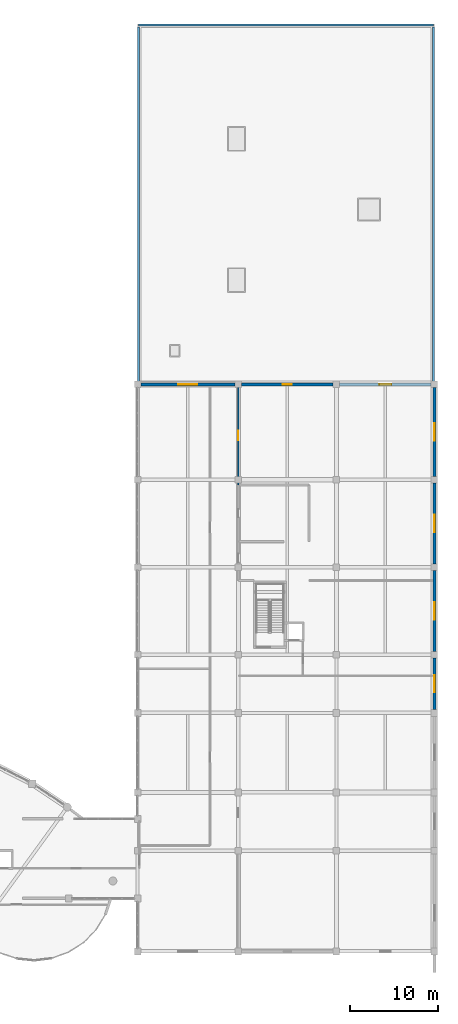
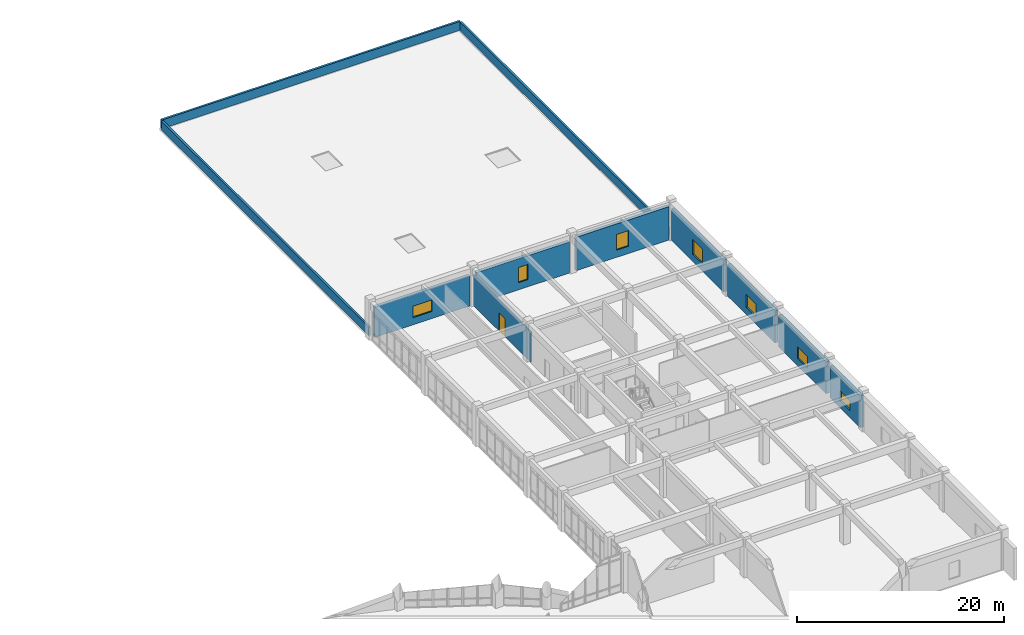
# One storey, part 56 of 68: 11 walls, 7 windows, 1 door, 8 openings.
"""IFC4 building model written with IfcOpenShell, lengths in metres."""

from ifc_helpers import new_model, si_unit, direction, frame, frame_2d, origin, place, context, subcontext, project, spatial, rectangle, extrude, material, layer, layer_set, type_object, element, fill, save


model = new_model("IFC4")

# Units and contexts
model_context = context("Model", 3, precision=1e-05, world=origin(), true_north=direction((0.0, 1.0)))
body_context = subcontext(model_context, "Body", "Model", "MODEL_VIEW")
ifc_project = project(units=[si_unit("LENGTHUNIT", "METRE"), si_unit("AREAUNIT", "SQUARE_METRE"), si_unit("VOLUMEUNIT", "CUBIC_METRE"), si_unit("PLANEANGLEUNIT", "RADIAN"), si_unit("MASSUNIT", "GRAM", prefix="KILO")], contexts=[model_context])

# Site, building, storey
site_placement = place(None, origin())
site = spatial("IfcSite", under=ifc_project, at=site_placement, CompositionType="ELEMENT")
building_placement = place(site_placement, origin())
building = spatial("IfcBuilding", under=site, at=building_placement, Name="Miralva Faculty of Natural Sciences", CompositionType="ELEMENT")
storey_placement = place(building_placement, frame((0.0, 0.0, 5.39990234375)))
storey = spatial("IfcBuildingStorey", under=building, at=storey_placement, Name="L01", CompositionType="ELEMENT", Elevation=5.39990234375)

# Walls
ifc_material_1 = material(Name="Precast concrete C40/50", Category="concrete")
ifc_layer_1 = layer(ifc_material_1, 0.22998046875, Name="WL-PA01")
ifc_layer_set_1 = layer_set([ifc_layer_1], Name="Precast concrete C40/50")
wall_type_1 = type_object("IfcWallType", Name="WL-PA01", PredefinedType="PARAPET", material=ifc_layer_set_1)
wall_1_placement = place(storey_placement, frame((167.280029296875, 76.550048828125, 0.0), z_axis=(0.0, 0.0, 1.0), x_axis=(0.0, 1.0, 0.0)))
element("IfcWall", 1, at=wall_1_placement, inside=storey, type_object=wall_type_1, Name="Roof parapet L01-1", PredefinedType="PARAPET", context=body_context, shape_type="SweptSolid", body=[
    extrude(rectangle(XDim=40.099853515625, YDim=0.22998046875, at=frame_2d((20.0498046875, 0.0))), origin(), (0.0, 0.0, 1.0), 1.050048828125),
])
wall_2_placement = place(storey_placement, frame((133.919921875, 116.8798828125, 0.0), z_axis=(0.0, 0.0, 1.0), x_axis=(1.0, 0.0, 0.0)))
element("IfcWall", 2, at=wall_2_placement, inside=storey, type_object=wall_type_1, Name="Roof parapet L01-2", PredefinedType="PARAPET", context=body_context, shape_type="SweptSolid", body=[
    extrude(rectangle(XDim=33.360107421875, YDim=0.22998046875, at=frame_2d((16.68017578125, 0.0))), origin(), (0.0, 0.0, 1.0), 1.050048828125),
])
wall_3_placement = place(storey_placement, frame((133.919921875, 76.550048828125, 0.0), z_axis=(0.0, 0.0, 1.0), x_axis=(0.0, 1.0, 0.0)))
element("IfcWall", 3, at=wall_3_placement, inside=storey, type_object=wall_type_1, Name="Roof parapet L01-3", PredefinedType="PARAPET", context=body_context, shape_type="SweptSolid", body=[
    extrude(rectangle(XDim=40.099853515625, YDim=0.22998046875, at=frame_2d((20.0498046875, 0.0))), origin(), (0.0, 0.0, 1.0), 1.050048828125),
])

# Wall, opening, door
ifc_material_2 = material(Name="Gypsum plasterboard")
ifc_layer_2 = layer(ifc_material_2, 0.125, Name="WL-PT05")
ifc_layer_set_2 = layer_set([ifc_layer_2], Name="Gypsum plasterboard")
wall_type_2 = type_object("IfcWallType", Name="WL-PT05", PredefinedType="PARTITIONING", material=ifc_layer_set_2)
wall_4_placement = place(storey_placement, frame((145.199951171875, 64.830078125, 0.0), z_axis=(0.0, 0.0, 1.0), x_axis=(0.0, 1.0, 0.0)))
wall_4 = element("IfcWall", 4, at=wall_4_placement, inside=storey, type_object=wall_type_2, Name="Interior partition PT-05 L01-216", PredefinedType="PARTITIONING", context=body_context, shape_type="SweptSolid", body=[
    extrude(rectangle(XDim=11.139892578125, YDim=0.125, at=frame_2d((5.56982421875, 0.0))), origin(), (0.0, 0.0, 1.0), 3.625),
])
opening_1_placement = place(wall_4_placement, frame((5.030029296875, 0.0, 0.0)))
opening_1 = element("IfcOpeningElement", 5, at=opening_1_placement, cuts=wall_4, Name="Opening D-32", PredefinedType="OPENING", context=body_context, shape_type="SweptSolid", body=[
    extrude(rectangle(XDim=1.080078125, YDim=2.14990234375, at=frame_2d((0.5400390625, 1.074951171875))), frame((0.0, 0.072509765625, 0.0), z_axis=(0.0, -1.0, 0.0), x_axis=(1.0, 0.0, 0.0)), (0.0, 0.0, 1.0), 0.14501953125),
])
ifc_material_3 = material(Name="Anodised aluminium", Category="aluminium")
door_type = type_object("IfcDoorType", Name="DR-DI32", OperationType="NOTDEFINED", PredefinedType="DOOR", material=ifc_material_3)
door_placement = place(opening_1_placement, origin())
door = element("IfcDoor", 6, at=door_placement, inside=storey, type_object=door_type, Name="Interior door D-32 L01-80", OperationType="SINGLE_SWING_RIGHT", OverallHeight=2.14990234375, OverallWidth=1.080078125, PredefinedType="DOOR", context=body_context, shape_type="SweptSolid", body=[
    extrude(rectangle(XDim=1.080078125, YDim=2.14990234375, at=frame_2d((0.5400390625, 1.074951171875))), frame((0.0, 0.02490234375, 0.0), z_axis=(0.0, -1.0, 0.0), x_axis=(1.0, 0.0, 0.0)), (0.0, 0.0, 1.0), 0.050048828125),
])
fill(opening_1, door)

# Wall, opening, window
ifc_material_4 = material(Name="Volcanic tuff architectural stone", Category="masonry")
ifc_layer_3 = layer(ifc_material_4, 0.360107421875, Name="WL-WT01")
ifc_layer_set_3 = layer_set([ifc_layer_3], Name="Volcanic tuff architectural stone")
wall_type_3 = type_object("IfcWallType", Name="WL-WT01", PredefinedType="SOLIDWALL", material=ifc_layer_set_3)
wall_5_placement = place(storey_placement, frame((167.39990234375, 39.364990234375, 0.0), z_axis=(0.0, 0.0, 1.0), x_axis=(0.0, 1.0, 0.0)))
wall_5 = element("IfcWall", 7, at=wall_5_placement, inside=storey, type_object=wall_type_3, Name="Exterior wall L01-302", PredefinedType="SOLIDWALL", context=body_context, shape_type="SweptSolid", body=[
    extrude(rectangle(XDim=5.880126953125, YDim=0.360107421875, at=frame_2d((2.93994140625, 0.0))), origin(), (0.0, 0.0, 1.0), 3.775146484375),
])
opening_2_placement = place(wall_5_placement, frame((1.965087890625, 0.0, 0.85009765625)))
opening_2 = element("IfcOpeningElement", 8, at=opening_2_placement, cuts=wall_5, Name="Opening W-65", PredefinedType="OPENING", context=body_context, shape_type="SweptSolid", body=[
    extrude(rectangle(XDim=1.949951171875, YDim=1.14990234375, at=frame_2d((0.97509765625, 0.574951171875))), frame((0.0, 0.18994140625, 0.0), z_axis=(0.0, -1.0, 0.0), x_axis=(1.0, 0.0, 0.0)), (0.0, 0.0, 1.0), 0.380126953125),
])
ifc_material_5 = material(Name="Laminated solar-control glass", Category="glass")
window_type_1 = type_object("IfcWindowType", Name="WN-W65", PartitioningType="DOUBLE_PANEL_VERTICAL", PredefinedType="WINDOW", material=ifc_material_5)
window_1_placement = place(opening_2_placement, frame((1.949951171875, 0.0, 0.0), z_axis=(0.0, 0.0, 1.0), x_axis=(-1.0, 0.0, 0.0)))
window_1 = element("IfcWindow", 9, at=window_1_placement, inside=storey, type_object=window_type_1, Name="Window W-65 L01-227", OverallHeight=1.14990234375, OverallWidth=1.949951171875, PartitioningType="DOUBLE_PANEL_VERTICAL", PredefinedType="WINDOW", context=body_context, shape_type="SweptSolid", body=[
    extrude(rectangle(XDim=1.949951171875, YDim=1.14990234375, at=frame_2d((0.97509765625, 0.574951171875))), frame((0.0, 0.030029296875, 0.0), z_axis=(0.0, -1.0, 0.0), x_axis=(1.0, 0.0, 0.0)), (0.0, 0.0, 1.0), 0.06005859375),
])
fill(opening_2, window_1)

wall_6_placement = place(storey_placement, frame((167.39990234375, 45.965087890625, 0.0), z_axis=(0.0, 0.0, 1.0), x_axis=(0.0, 1.0, 0.0)))
wall_6 = element("IfcWall", 10, at=wall_6_placement, inside=storey, type_object=wall_type_3, Name="Exterior wall L01-303", PredefinedType="SOLIDWALL", context=body_context, shape_type="SweptSolid", body=[
    extrude(rectangle(XDim=9.169921875, YDim=0.360107421875, at=frame_2d((4.5849609375, 0.0))), origin(), (0.0, 0.0, 1.0), 3.775146484375),
])
opening_3_placement = place(wall_6_placement, frame((3.610107421875, 0.0, 0.85009765625)))
opening_3 = element("IfcOpeningElement", 11, at=opening_3_placement, cuts=wall_6, Name="Opening W-66", PredefinedType="OPENING", context=body_context, shape_type="SweptSolid", body=[
    extrude(rectangle(XDim=1.949951171875, YDim=1.35009765625, at=frame_2d((0.97509765625, 0.675048828125))), frame((0.0, 0.18994140625, 0.0), z_axis=(0.0, -1.0, 0.0), x_axis=(1.0, 0.0, 0.0)), (0.0, 0.0, 1.0), 0.380126953125),
])
window_type_2 = type_object("IfcWindowType", Name="WN-W66", PartitioningType="DOUBLE_PANEL_VERTICAL", PredefinedType="WINDOW", material=ifc_material_5)
window_2_placement = place(opening_3_placement, frame((1.949951171875, 0.0, 0.0), z_axis=(0.0, 0.0, 1.0), x_axis=(-1.0, 0.0, 0.0)))
window_2 = element("IfcWindow", 12, at=window_2_placement, inside=storey, type_object=window_type_2, Name="Window W-66 L01-228", OverallHeight=1.35009765625, OverallWidth=1.949951171875, PartitioningType="DOUBLE_PANEL_VERTICAL", PredefinedType="WINDOW", context=body_context, shape_type="SweptSolid", body=[
    extrude(rectangle(XDim=1.949951171875, YDim=1.35009765625, at=frame_2d((0.97509765625, 0.675048828125))), frame((0.0, 0.030029296875, 0.0), z_axis=(0.0, -1.0, 0.0), x_axis=(1.0, 0.0, 0.0)), (0.0, 0.0, 1.0), 0.06005859375),
])
fill(opening_3, window_2)

wall_7_placement = place(storey_placement, frame((167.39990234375, 55.864990234375, 0.0), z_axis=(0.0, 0.0, 1.0), x_axis=(0.0, 1.0, 0.0)))
wall_7 = element("IfcWall", 13, at=wall_7_placement, inside=storey, type_object=wall_type_3, Name="Exterior wall L01-304", PredefinedType="SOLIDWALL", context=body_context, shape_type="SweptSolid", body=[
    extrude(rectangle(XDim=9.169921875, YDim=0.360107421875, at=frame_2d((4.5849609375, 0.0))), origin(), (0.0, 0.0, 1.0), 3.775146484375),
])
opening_4_placement = place(wall_7_placement, frame((3.610107421875, 0.0, 0.85009765625)))
opening_4 = element("IfcOpeningElement", 14, at=opening_4_placement, cuts=wall_7, Name="Opening W-67", PredefinedType="OPENING", context=body_context, shape_type="SweptSolid", body=[
    extrude(rectangle(XDim=1.949951171875, YDim=1.550048828125, at=frame_2d((0.97509765625, 0.77490234375))), frame((0.0, 0.18994140625, 0.0), z_axis=(0.0, -1.0, 0.0), x_axis=(1.0, 0.0, 0.0)), (0.0, 0.0, 1.0), 0.380126953125),
])
window_type_3 = type_object("IfcWindowType", Name="WN-W67", PartitioningType="DOUBLE_PANEL_VERTICAL", PredefinedType="WINDOW", material=ifc_material_5)
window_3_placement = place(opening_4_placement, frame((1.949951171875, 0.0, 0.0), z_axis=(0.0, 0.0, 1.0), x_axis=(-1.0, 0.0, 0.0)))
window_3 = element("IfcWindow", 15, at=window_3_placement, inside=storey, type_object=window_type_3, Name="Window W-67 L01-229", OverallHeight=1.550048828125, OverallWidth=1.949951171875, PartitioningType="DOUBLE_PANEL_VERTICAL", PredefinedType="WINDOW", context=body_context, shape_type="SweptSolid", body=[
    extrude(rectangle(XDim=1.949951171875, YDim=1.550048828125, at=frame_2d((0.97509765625, 0.77490234375))), frame((0.0, 0.030029296875, 0.0), z_axis=(0.0, -1.0, 0.0), x_axis=(1.0, 0.0, 0.0)), (0.0, 0.0, 1.0), 0.06005859375),
])
fill(opening_4, window_3)

wall_8_placement = place(storey_placement, frame((167.39990234375, 65.764892578125, 0.0), z_axis=(0.0, 0.0, 1.0), x_axis=(0.0, 1.0, 0.0)))
wall_8 = element("IfcWall", 16, at=wall_8_placement, inside=storey, type_object=wall_type_3, Name="Exterior wall L01-305", PredefinedType="SOLIDWALL", context=body_context, shape_type="SweptSolid", body=[
    extrude(rectangle(XDim=10.070068359375, YDim=0.360107421875, at=frame_2d((5.03515625, 0.0))), origin(), (0.0, 0.0, 1.0), 3.775146484375),
])
opening_5_placement = place(wall_8_placement, frame((4.06005859375, 0.0, 0.85009765625)))
opening_5 = element("IfcOpeningElement", 17, at=opening_5_placement, cuts=wall_8, Name="Opening W-68", PredefinedType="OPENING", context=body_context, shape_type="SweptSolid", body=[
    extrude(rectangle(XDim=1.949951171875, YDim=1.75, at=frame_2d((0.97509765625, 0.875))), frame((0.0, 0.18994140625, 0.0), z_axis=(0.0, -1.0, 0.0), x_axis=(1.0, 0.0, 0.0)), (0.0, 0.0, 1.0), 0.380126953125),
])
window_type_4 = type_object("IfcWindowType", Name="WN-W68", PartitioningType="DOUBLE_PANEL_VERTICAL", PredefinedType="WINDOW", material=ifc_material_5)
window_4_placement = place(opening_5_placement, frame((1.949951171875, 0.0, 0.0), z_axis=(0.0, 0.0, 1.0), x_axis=(-1.0, 0.0, 0.0)))
window_4 = element("IfcWindow", 18, at=window_4_placement, inside=storey, type_object=window_type_4, Name="Window W-68 L01-230", OverallHeight=1.75, OverallWidth=1.949951171875, PartitioningType="DOUBLE_PANEL_VERTICAL", PredefinedType="WINDOW", context=body_context, shape_type="SweptSolid", body=[
    extrude(rectangle(XDim=1.949951171875, YDim=1.75, at=frame_2d((0.97509765625, 0.875))), frame((0.0, 0.030029296875, 0.0), z_axis=(0.0, -1.0, 0.0), x_axis=(1.0, 0.0, 0.0)), (0.0, 0.0, 1.0), 0.06005859375),
])
fill(opening_5, window_4)

wall_9_placement = place(storey_placement, frame((134.1650390625, 76.199951171875, 0.0), z_axis=(0.0, 0.0, 1.0), x_axis=(1.0, 0.0, 0.0)))
wall_9 = element("IfcWall", 19, at=wall_9_placement, inside=storey, type_object=wall_type_3, Name="Exterior wall L01-307", PredefinedType="SOLIDWALL", context=body_context, shape_type="SweptSolid", body=[
    extrude(rectangle(XDim=10.669921875, YDim=0.360107421875, at=frame_2d((5.3349609375, 0.0))), origin(), (0.0, 0.0, 1.0), 3.55517578125),
])
opening_6_placement = place(wall_9_placement, frame((4.260009765625, 0.0, 0.85009765625)))
opening_6 = element("IfcOpeningElement", 20, at=opening_6_placement, cuts=wall_9, Name="Opening W-70", PredefinedType="OPENING", context=body_context, shape_type="SweptSolid", body=[
    extrude(rectangle(XDim=2.14990234375, YDim=1.35009765625, at=frame_2d((1.074951171875, 0.675048828125))), frame((0.0, 0.18994140625, 0.0), z_axis=(0.0, -1.0, 0.0), x_axis=(1.0, 0.0, 0.0)), (0.0, 0.0, 1.0), 0.380126953125),
])
window_type_5 = type_object("IfcWindowType", Name="WN-W70", PartitioningType="DOUBLE_PANEL_VERTICAL", PredefinedType="WINDOW", material=ifc_material_5)
window_5_placement = place(opening_6_placement, origin())
window_5 = element("IfcWindow", 21, at=window_5_placement, inside=storey, type_object=window_type_5, Name="Window W-70 L01-232", OverallHeight=1.35009765625, OverallWidth=2.14990234375, PartitioningType="DOUBLE_PANEL_VERTICAL", PredefinedType="WINDOW", context=body_context, shape_type="SweptSolid", body=[
    extrude(rectangle(XDim=2.14990234375, YDim=1.35009765625, at=frame_2d((1.074951171875, 0.675048828125))), frame((0.0, 0.030029296875, 0.0), z_axis=(0.0, -1.0, 0.0), x_axis=(1.0, 0.0, 0.0)), (0.0, 0.0, 1.0), 0.06005859375),
])
fill(opening_6, window_5)

wall_10_placement = place(storey_placement, frame((145.554931640625, 76.199951171875, 0.0), z_axis=(0.0, 0.0, 1.0), x_axis=(1.0, 0.0, 0.0)))
wall_10 = element("IfcWall", 22, at=wall_10_placement, inside=storey, type_object=wall_type_3, Name="Exterior wall L01-309", PredefinedType="SOLIDWALL", context=body_context, shape_type="SweptSolid", body=[
    extrude(rectangle(XDim=10.39013671875, YDim=0.360107421875, at=frame_2d((5.195068359375, 0.0))), origin(), (0.0, 0.0, 1.0), 3.675048828125),
])
opening_7_placement = place(wall_10_placement, frame((4.669921875, 0.0, 0.85009765625)))
opening_7 = element("IfcOpeningElement", 23, at=opening_7_placement, cuts=wall_10, Name="Opening W-02", PredefinedType="OPENING", context=body_context, shape_type="SweptSolid", body=[
    extrude(rectangle(XDim=1.050048828125, YDim=1.800048828125, at=frame_2d((0.52490234375, 0.89990234375))), frame((0.0, 0.18994140625, 0.0), z_axis=(0.0, -1.0, 0.0), x_axis=(1.0, 0.0, 0.0)), (0.0, 0.0, 1.0), 0.380126953125),
])
window_type_6 = type_object("IfcWindowType", Name="WN-W02", PartitioningType="SINGLE_PANEL", PredefinedType="WINDOW", material=ifc_material_5)
window_6_placement = place(opening_7_placement, origin())
window_6 = element("IfcWindow", 24, at=window_6_placement, inside=storey, type_object=window_type_6, Name="Window W-02 L01-234", OverallHeight=1.800048828125, OverallWidth=1.050048828125, PartitioningType="SINGLE_PANEL", PredefinedType="WINDOW", context=body_context, shape_type="SweptSolid", body=[
    extrude(rectangle(XDim=1.050048828125, YDim=1.800048828125, at=frame_2d((0.52490234375, 0.89990234375))), frame((0.0, 0.030029296875, 0.0), z_axis=(0.0, -1.0, 0.0), x_axis=(1.0, 0.0, 0.0)), (0.0, 0.0, 1.0), 0.06005859375),
])
fill(opening_7, window_6)

wall_11_placement = place(storey_placement, frame((156.6650390625, 76.199951171875, 0.0), z_axis=(0.0, 0.0, 1.0), x_axis=(1.0, 0.0, 0.0)))
wall_11 = element("IfcWall", 25, at=wall_11_placement, inside=storey, type_object=wall_type_3, Name="Exterior wall L01-311", PredefinedType="SOLIDWALL", context=body_context, shape_type="SweptSolid", body=[
    extrude(rectangle(XDim=10.3798828125, YDim=0.360107421875, at=frame_2d((5.18994140625, 0.0))), origin(), (0.0, 0.0, 1.0), 3.955078125),
])
opening_8_placement = place(wall_11_placement, frame((4.514892578125, 0.0, 0.85009765625)))
opening_8 = element("IfcOpeningElement", 26, at=opening_8_placement, cuts=wall_11, Name="Opening W-05", PredefinedType="OPENING", context=body_context, shape_type="SweptSolid", body=[
    extrude(rectangle(XDim=1.35009765625, YDim=1.85009765625, at=frame_2d((0.675048828125, 0.925048828125))), frame((0.0, 0.18994140625, 0.0), z_axis=(0.0, -1.0, 0.0), x_axis=(1.0, 0.0, 0.0)), (0.0, 0.0, 1.0), 0.380126953125),
])
window_type_7 = type_object("IfcWindowType", Name="WN-W05", PartitioningType="DOUBLE_PANEL_VERTICAL", PredefinedType="WINDOW", material=ifc_material_5)
window_7_placement = place(opening_8_placement, origin())
window_7 = element("IfcWindow", 27, at=window_7_placement, inside=storey, type_object=window_type_7, Name="Window W-05 L01-236", OverallHeight=1.85009765625, OverallWidth=1.35009765625, PartitioningType="DOUBLE_PANEL_VERTICAL", PredefinedType="WINDOW", context=body_context, shape_type="SweptSolid", body=[
    extrude(rectangle(XDim=1.35009765625, YDim=1.85009765625, at=frame_2d((0.675048828125, 0.925048828125))), frame((0.0, 0.030029296875, 0.0), z_axis=(0.0, -1.0, 0.0), x_axis=(1.0, 0.0, 0.0)), (0.0, 0.0, 1.0), 0.06005859375),
])
fill(opening_8, window_7)

save(model, "model.ifc")
